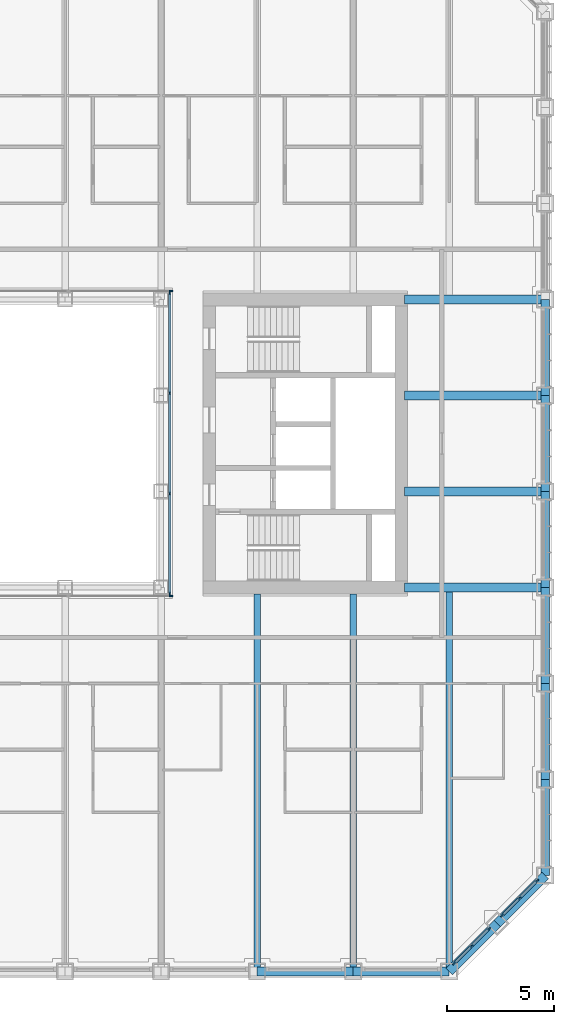
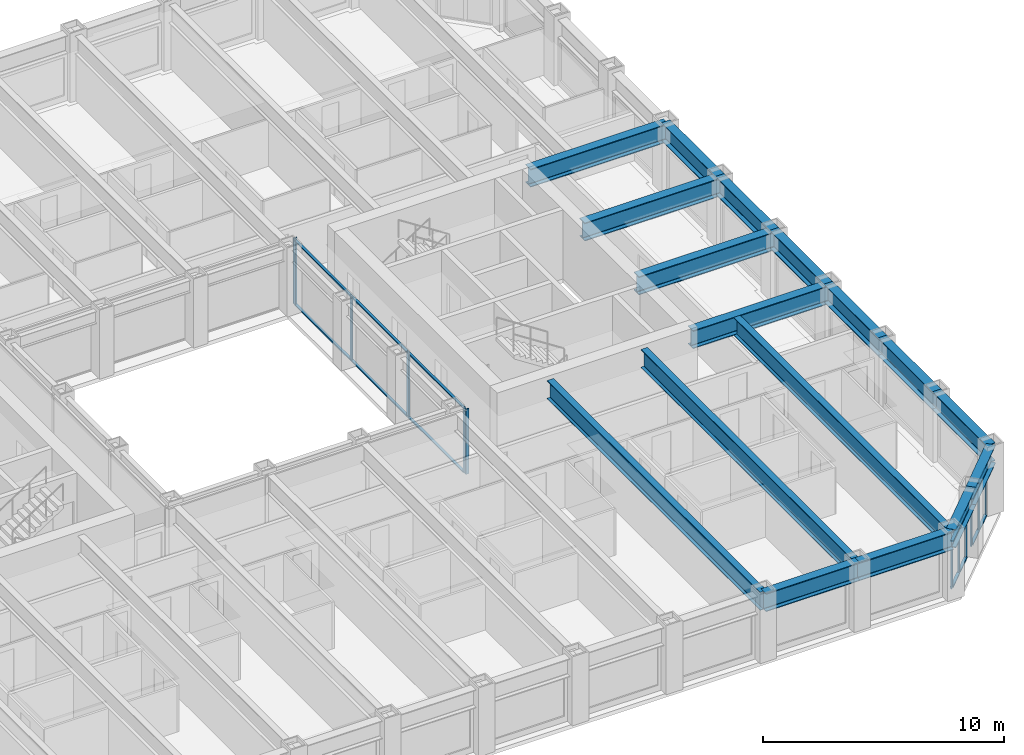
# One storey, part 5 of 21: 26 members, 17 beams, 5 elements without a shape of their own.
"""IFC4 building model written with IfcOpenShell, lengths in metres."""

from ifc_helpers import new_model, si_unit, direction, frame, origin, origin_2d, place, context, subcontext, project, spatial, rectangle, i_section, extrude, material, material_profile, profile_set, type_object, element, aggregate, save


model = new_model("IFC4")

# Units and contexts
model_context = context("Model", 3, precision=1e-05, world=origin(), true_north=direction((0.0, 1.0)))
body_context = subcontext(model_context, "Body", "Model", "MODEL_VIEW")
ifc_project = project(units=[si_unit("LENGTHUNIT", "METRE"), si_unit("AREAUNIT", "SQUARE_METRE"), si_unit("VOLUMEUNIT", "CUBIC_METRE"), si_unit("PLANEANGLEUNIT", "RADIAN"), si_unit("MASSUNIT", "GRAM", prefix="KILO")], contexts=[model_context])

# Site, building, storey
site_placement = place(None, origin())
site = spatial("IfcSite", under=ifc_project, at=site_placement, CompositionType="ELEMENT")
building_placement = place(site_placement, origin())
building = spatial("IfcBuilding", under=site, at=building_placement, Name="Msasa Ring Tower", CompositionType="ELEMENT")
storey_placement = place(building_placement, frame((0.0, 0.0, 54.5)))
storey = spatial("IfcBuildingStorey", under=building, at=storey_placement, Name="L13", CompositionType="ELEMENT", Elevation=54.5)

# Curtain wall, members
ifc_material_1 = material(Name="Aluminium curtain wall with clear glass", Category="aluminium")
curtain_wall_type_1 = type_object("IfcCurtainWallType", Name="CW-C CHAMFER CORNER CURTAIN WALL", PredefinedType="NOTDEFINED", material=ifc_material_1)
curtain_wall_1_placement = place(storey_placement, origin())
curtain_wall_1 = element("IfcCurtainWall", 1, at=curtain_wall_1_placement, inside=storey, type_object=curtain_wall_type_1, Name="Chamfer corner curtain wall SE L13", PredefinedType="NOTDEFINED")
ifc_material_2 = material(Name="Aluminium mullion", Category="aluminium")
ifc_material_profile_1 = material_profile(ifc_material_2, rectangle(XDim=0.06494140625, YDim=0.179931640625, at=origin_2d()), Name="AL 65x180")
ifc_profile_set_1 = profile_set([ifc_material_profile_1], Name="Aluminium mullion")
member_type_1 = type_object("IfcMemberType", Name="CW-C MULLION 65x180", PredefinedType="MULLION", material=ifc_profile_set_1)
member_1_placement = place(storey_placement, frame((20.48876953125, -24.369873046875, 0.0), z_axis=(0.0, 0.0, 1.0), x_axis=(-0.707106781187, 0.707106781187, 0.0)))
member_1 = element("IfcMember", 2, at=member_1_placement, type_object=member_type_1, Name="CW-C mullion 1", PredefinedType="MULLION", context=body_context, shape_type="SweptSolid", body=[
    extrude(rectangle(XDim=0.06494140625, YDim=0.179931640625, at=origin_2d()), origin(), (0.0, 0.0, 1.0), 2.37890625),
])
member_2_placement = place(storey_placement, frame((21.30419921875, -23.55419921875, 0.0), z_axis=(0.0, 0.0, 1.0), x_axis=(-0.707106781187, 0.707106781187, 0.0)))
member_2 = element("IfcMember", 3, at=member_2_placement, type_object=member_type_1, Name="CW-C mullion 2", PredefinedType="MULLION", context=body_context, shape_type="SweptSolid", body=[
    extrude(rectangle(XDim=0.06494140625, YDim=0.179931640625, at=origin_2d()), origin(), (0.0, 0.0, 1.0), 2.37890625),
])
member_3_placement = place(storey_placement, frame((22.119873046875, -22.73876953125, 0.0), z_axis=(0.0, 0.0, 1.0), x_axis=(-0.707106781187, 0.707106781187, 0.0)))
member_3 = element("IfcMember", 4, at=member_3_placement, type_object=member_type_1, Name="CW-C mullion 3", PredefinedType="MULLION", context=body_context, shape_type="SweptSolid", body=[
    extrude(rectangle(XDim=0.06494140625, YDim=0.179931640625, at=origin_2d()), origin(), (0.0, 0.0, 1.0), 2.37890625),
])

curtain_wall_2_placement = place(storey_placement, origin())
curtain_wall_2 = element("IfcCurtainWall", 5, at=curtain_wall_2_placement, inside=storey, type_object=curtain_wall_type_1, Name="Chamfer corner curtain wall SE L13", PredefinedType="NOTDEFINED")
member_4_placement = place(storey_placement, frame((22.73876953125, -22.119873046875, 0.0), z_axis=(0.0, 0.0, 1.0), x_axis=(-0.707106781187, 0.707106781187, 0.0)))
member_4 = element("IfcMember", 6, at=member_4_placement, type_object=member_type_1, Name="CW-C mullion 1", PredefinedType="MULLION", context=body_context, shape_type="SweptSolid", body=[
    extrude(rectangle(XDim=0.06494140625, YDim=0.179931640625, at=origin_2d()), origin(), (0.0, 0.0, 1.0), 2.37890625),
])
member_5_placement = place(storey_placement, frame((23.55419921875, -21.30419921875, 0.0), z_axis=(0.0, 0.0, 1.0), x_axis=(-0.707106781187, 0.707106781187, 0.0)))
member_5 = element("IfcMember", 7, at=member_5_placement, type_object=member_type_1, Name="CW-C mullion 2", PredefinedType="MULLION", context=body_context, shape_type="SweptSolid", body=[
    extrude(rectangle(XDim=0.06494140625, YDim=0.179931640625, at=origin_2d()), origin(), (0.0, 0.0, 1.0), 2.37890625),
])
member_6_placement = place(storey_placement, frame((24.369873046875, -20.48876953125, 0.0), z_axis=(0.0, 0.0, 1.0), x_axis=(-0.707106781187, 0.707106781187, 0.0)))
member_6 = element("IfcMember", 8, at=member_6_placement, type_object=member_type_1, Name="CW-C mullion 3", PredefinedType="MULLION", context=body_context, shape_type="SweptSolid", body=[
    extrude(rectangle(XDim=0.06494140625, YDim=0.179931640625, at=origin_2d()), origin(), (0.0, 0.0, 1.0), 2.37890625),
])

# Member
ifc_material_3 = material(Name="Aluminium transom", Category="aluminium")
ifc_material_profile_2 = material_profile(ifc_material_3, rectangle(XDim=0.139892578125, YDim=0.06494140625, at=origin_2d()), Name="AL 65x140")
ifc_profile_set_2 = profile_set([ifc_material_profile_2], Name="Aluminium transom")
member_type_2 = type_object("IfcMemberType", Name="CW-C TRANSOM 65x140", PredefinedType="USERDEFINED", material=ifc_profile_set_2)
member_7_placement = place(storey_placement, frame((20.51171875, -24.346923828125, 0.032470703125), z_axis=(0.707106781187, 0.707106781187, 0.0), x_axis=(-0.707106781187, 0.707106781187, 0.0)))
member_7 = element("IfcMember", 9, at=member_7_placement, type_object=member_type_2, Name="CW-C transom 1.1", ObjectType="TRANSOM", PredefinedType="USERDEFINED", context=body_context, shape_type="SweptSolid", body=[
    extrude(rectangle(XDim=0.139892578125, YDim=0.06494140625, at=origin_2d()), origin(), (0.0, 0.0, 1.0), 1.08837890625),
])

member_8_placement = place(storey_placement, frame((20.51171875, -24.346923828125, 2.346435546875), z_axis=(0.707106781187, 0.707106781187, 0.0), x_axis=(-0.707106781187, 0.707106781187, 0.0)))
member_8 = element("IfcMember", 10, at=member_8_placement, type_object=member_type_2, Name="CW-C transom 1.2", ObjectType="TRANSOM", PredefinedType="USERDEFINED", context=body_context, shape_type="SweptSolid", body=[
    extrude(rectangle(XDim=0.139892578125, YDim=0.06494140625, at=origin_2d()), origin(), (0.0, 0.0, 1.0), 1.08837890625),
])

member_9_placement = place(storey_placement, frame((21.327392578125, -23.53125, 0.032470703125), z_axis=(0.707106781187, 0.707106781187, 0.0), x_axis=(-0.707106781187, 0.707106781187, 0.0)))
member_9 = element("IfcMember", 11, at=member_9_placement, type_object=member_type_2, Name="CW-C transom 2.1", ObjectType="TRANSOM", PredefinedType="USERDEFINED", context=body_context, shape_type="SweptSolid", body=[
    extrude(rectangle(XDim=0.139892578125, YDim=0.06494140625, at=origin_2d()), origin(), (0.0, 0.0, 1.0), 1.08837890625),
])

member_10_placement = place(storey_placement, frame((21.327392578125, -23.53125, 2.346435546875), z_axis=(0.707106781187, 0.707106781187, 0.0), x_axis=(-0.707106781187, 0.707106781187, 0.0)))
member_10 = element("IfcMember", 12, at=member_10_placement, type_object=member_type_2, Name="CW-C transom 2.2", ObjectType="TRANSOM", PredefinedType="USERDEFINED", context=body_context, shape_type="SweptSolid", body=[
    extrude(rectangle(XDim=0.139892578125, YDim=0.06494140625, at=origin_2d()), origin(), (0.0, 0.0, 1.0), 1.08837890625),
])

aggregate(curtain_wall_1, [member_1, member_2, member_3, member_7, member_8, member_9, member_10])

member_11_placement = place(storey_placement, frame((22.76171875, -22.096923828125, 0.032470703125), z_axis=(0.707106781187, 0.707106781187, 0.0), x_axis=(-0.707106781187, 0.707106781187, 0.0)))
member_11 = element("IfcMember", 13, at=member_11_placement, type_object=member_type_2, Name="CW-C transom 1.1", ObjectType="TRANSOM", PredefinedType="USERDEFINED", context=body_context, shape_type="SweptSolid", body=[
    extrude(rectangle(XDim=0.139892578125, YDim=0.06494140625, at=origin_2d()), origin(), (0.0, 0.0, 1.0), 1.08837890625),
])

member_12_placement = place(storey_placement, frame((22.76171875, -22.096923828125, 2.346435546875), z_axis=(0.707106781187, 0.707106781187, 0.0), x_axis=(-0.707106781187, 0.707106781187, 0.0)))
member_12 = element("IfcMember", 14, at=member_12_placement, type_object=member_type_2, Name="CW-C transom 1.2", ObjectType="TRANSOM", PredefinedType="USERDEFINED", context=body_context, shape_type="SweptSolid", body=[
    extrude(rectangle(XDim=0.139892578125, YDim=0.06494140625, at=origin_2d()), origin(), (0.0, 0.0, 1.0), 1.08837890625),
])

member_13_placement = place(storey_placement, frame((23.577392578125, -21.28125, 0.032470703125), z_axis=(0.707106781187, 0.707106781187, 0.0), x_axis=(-0.707106781187, 0.707106781187, 0.0)))
member_13 = element("IfcMember", 15, at=member_13_placement, type_object=member_type_2, Name="CW-C transom 2.1", ObjectType="TRANSOM", PredefinedType="USERDEFINED", context=body_context, shape_type="SweptSolid", body=[
    extrude(rectangle(XDim=0.139892578125, YDim=0.06494140625, at=origin_2d()), origin(), (0.0, 0.0, 1.0), 1.08837890625),
])

member_14_placement = place(storey_placement, frame((23.577392578125, -21.28125, 2.346435546875), z_axis=(0.707106781187, 0.707106781187, 0.0), x_axis=(-0.707106781187, 0.707106781187, 0.0)))
member_14 = element("IfcMember", 16, at=member_14_placement, type_object=member_type_2, Name="CW-C transom 2.2", ObjectType="TRANSOM", PredefinedType="USERDEFINED", context=body_context, shape_type="SweptSolid", body=[
    extrude(rectangle(XDim=0.139892578125, YDim=0.06494140625, at=origin_2d()), origin(), (0.0, 0.0, 1.0), 1.08837890625),
])

aggregate(curtain_wall_2, [member_4, member_5, member_6, member_11, member_12, member_13, member_14])

# Curtain wall, member
ifc_material_4 = material(Name="Aluminium curtain wall with clear glass", Category="aluminium")
curtain_wall_type_2 = type_object("IfcCurtainWallType", Name="CW-W LIGHT WELL CURTAIN WALL", PredefinedType="NOTDEFINED", material=ifc_material_4)
curtain_wall_3_placement = place(storey_placement, origin())
curtain_wall_3 = element("IfcCurtainWall", 17, at=curtain_wall_3_placement, inside=storey, type_object=curtain_wall_type_2, Name="Light well curtain wall N L13", PredefinedType="NOTDEFINED")
ifc_material_5 = material(Name="Aluminium mullion", Category="aluminium")
ifc_material_profile_3 = material_profile(ifc_material_5, rectangle(XDim=0.06005859375, YDim=0.159912109375, at=origin_2d()), Name="AL 60x160")
ifc_profile_set_3 = profile_set([ifc_material_profile_3], Name="Aluminium mullion")
member_type_3 = type_object("IfcMemberType", Name="CW-W MULLION 60x160", PredefinedType="MULLION", material=ifc_profile_set_3)
member_15_placement = place(storey_placement, frame((7.199951171875, 7.14990234375, 0.0), z_axis=(0.0, 0.0, 1.0), x_axis=(0.0, 1.0, 0.0)))
member_15 = element("IfcMember", 18, at=member_15_placement, type_object=member_type_3, Name="CW-W mullion 4", PredefinedType="MULLION", context=body_context, shape_type="SweptSolid", body=[
    extrude(rectangle(XDim=0.06005859375, YDim=0.159912109375, at=origin_2d()), origin(), (0.0, 0.0, 1.0), 3.300048828125),
])
aggregate(curtain_wall_3, [member_15])

curtain_wall_4_placement = place(storey_placement, origin())
curtain_wall_4 = element("IfcCurtainWall", 19, at=curtain_wall_4_placement, inside=storey, type_object=curtain_wall_type_2, Name="Light well curtain wall S L13", PredefinedType="NOTDEFINED")
member_16_placement = place(storey_placement, frame((7.199951171875, -7.14990234375, 0.0), z_axis=(0.0, 0.0, 1.0), x_axis=(0.0, 1.0, 0.0)))
member_16 = element("IfcMember", 20, at=member_16_placement, type_object=member_type_3, Name="CW-W mullion 4", PredefinedType="MULLION", context=body_context, shape_type="SweptSolid", body=[
    extrude(rectangle(XDim=0.06005859375, YDim=0.159912109375, at=origin_2d()), origin(), (0.0, 0.0, 1.0), 3.300048828125),
])
aggregate(curtain_wall_4, [member_16])

# Curtain wall, members
curtain_wall_5_placement = place(storey_placement, origin())
curtain_wall_5 = element("IfcCurtainWall", 21, at=curtain_wall_5_placement, inside=storey, type_object=curtain_wall_type_2, Name="Light well curtain wall E L13", PredefinedType="NOTDEFINED")
member_17_placement = place(storey_placement, frame((7.14990234375, -7.0400390625, 0.0), z_axis=(0.0, 0.0, 1.0), x_axis=(-1.0, 0.0, 0.0)))
member_17 = element("IfcMember", 22, at=member_17_placement, type_object=member_type_3, Name="CW-W mullion 1", PredefinedType="MULLION", context=body_context, shape_type="SweptSolid", body=[
    extrude(rectangle(XDim=0.06005859375, YDim=0.159912109375, at=origin_2d()), origin(), (0.0, 0.0, 1.0), 3.300048828125),
])
member_18_placement = place(storey_placement, frame((7.14990234375, -2.356689453125, 0.0), z_axis=(0.0, 0.0, 1.0), x_axis=(-1.0, 0.0, 0.0)))
member_18 = element("IfcMember", 23, at=member_18_placement, type_object=member_type_3, Name="CW-W mullion 2", PredefinedType="MULLION", context=body_context, shape_type="SweptSolid", body=[
    extrude(rectangle(XDim=0.06005859375, YDim=0.159912109375, at=origin_2d()), origin(), (0.0, 0.0, 1.0), 3.300048828125),
])
member_19_placement = place(storey_placement, frame((7.14990234375, 2.356689453125, 0.0), z_axis=(0.0, 0.0, 1.0), x_axis=(-1.0, 0.0, 0.0)))
member_19 = element("IfcMember", 24, at=member_19_placement, type_object=member_type_3, Name="CW-W mullion 3", PredefinedType="MULLION", context=body_context, shape_type="SweptSolid", body=[
    extrude(rectangle(XDim=0.06005859375, YDim=0.159912109375, at=origin_2d()), origin(), (0.0, 0.0, 1.0), 3.300048828125),
])
member_20_placement = place(storey_placement, frame((7.14990234375, 7.0400390625, 0.0), z_axis=(0.0, 0.0, 1.0), x_axis=(-1.0, 0.0, 0.0)))
member_20 = element("IfcMember", 25, at=member_20_placement, type_object=member_type_3, Name="CW-W mullion 4", PredefinedType="MULLION", context=body_context, shape_type="SweptSolid", body=[
    extrude(rectangle(XDim=0.06005859375, YDim=0.159912109375, at=origin_2d()), origin(), (0.0, 0.0, 1.0), 3.300048828125),
])
ifc_material_6 = material(Name="Aluminium transom", Category="aluminium")
ifc_material_profile_4 = material_profile(ifc_material_6, rectangle(XDim=0.1201171875, YDim=0.06005859375, at=origin_2d()), Name="AL 60x120")
ifc_profile_set_4 = profile_set([ifc_material_profile_4], Name="Aluminium transom")
member_type_4 = type_object("IfcMemberType", Name="CW-W TRANSOM 60x120", PredefinedType="USERDEFINED", material=ifc_profile_set_4)
member_21_placement = place(storey_placement, frame((7.14990234375, -7.010009765625, 0.030029296875), z_axis=(0.0, 1.0, 0.0), x_axis=(-1.0, 0.0, 0.0)))
member_21 = element("IfcMember", 26, at=member_21_placement, type_object=member_type_4, Name="CW-W transom 1.1", ObjectType="TRANSOM", PredefinedType="USERDEFINED", context=body_context, shape_type="SweptSolid", body=[
    extrude(rectangle(XDim=0.1201171875, YDim=0.06005859375, at=origin_2d()), origin(), (0.0, 0.0, 1.0), 4.623291015625),
])
member_22_placement = place(storey_placement, frame((7.14990234375, -7.010009765625, 3.27001953125), z_axis=(0.0, 1.0, 0.0), x_axis=(-1.0, 0.0, 0.0)))
member_22 = element("IfcMember", 27, at=member_22_placement, type_object=member_type_4, Name="CW-W transom 1.2", ObjectType="TRANSOM", PredefinedType="USERDEFINED", context=body_context, shape_type="SweptSolid", body=[
    extrude(rectangle(XDim=0.1201171875, YDim=0.06005859375, at=origin_2d()), origin(), (0.0, 0.0, 1.0), 4.623291015625),
])
member_23_placement = place(storey_placement, frame((7.14990234375, -2.32666015625, 0.030029296875), z_axis=(0.0, 1.0, 0.0), x_axis=(-1.0, 0.0, 0.0)))
member_23 = element("IfcMember", 28, at=member_23_placement, type_object=member_type_4, Name="CW-W transom 2.1", ObjectType="TRANSOM", PredefinedType="USERDEFINED", context=body_context, shape_type="SweptSolid", body=[
    extrude(rectangle(XDim=0.1201171875, YDim=0.06005859375, at=origin_2d()), origin(), (0.0, 0.0, 1.0), 4.6533203125),
])
member_24_placement = place(storey_placement, frame((7.14990234375, -2.32666015625, 3.27001953125), z_axis=(0.0, 1.0, 0.0), x_axis=(-1.0, 0.0, 0.0)))
member_24 = element("IfcMember", 29, at=member_24_placement, type_object=member_type_4, Name="CW-W transom 2.2", ObjectType="TRANSOM", PredefinedType="USERDEFINED", context=body_context, shape_type="SweptSolid", body=[
    extrude(rectangle(XDim=0.1201171875, YDim=0.06005859375, at=origin_2d()), origin(), (0.0, 0.0, 1.0), 4.6533203125),
])
member_25_placement = place(storey_placement, frame((7.14990234375, 2.38671875, 0.030029296875), z_axis=(0.0, 1.0, 0.0), x_axis=(-1.0, 0.0, 0.0)))
member_25 = element("IfcMember", 30, at=member_25_placement, type_object=member_type_4, Name="CW-W transom 3.1", ObjectType="TRANSOM", PredefinedType="USERDEFINED", context=body_context, shape_type="SweptSolid", body=[
    extrude(rectangle(XDim=0.1201171875, YDim=0.06005859375, at=origin_2d()), origin(), (0.0, 0.0, 1.0), 4.623291015625),
])
member_26_placement = place(storey_placement, frame((7.14990234375, 2.38671875, 3.27001953125), z_axis=(0.0, 1.0, 0.0), x_axis=(-1.0, 0.0, 0.0)))
member_26 = element("IfcMember", 31, at=member_26_placement, type_object=member_type_4, Name="CW-W transom 3.2", ObjectType="TRANSOM", PredefinedType="USERDEFINED", context=body_context, shape_type="SweptSolid", body=[
    extrude(rectangle(XDim=0.1201171875, YDim=0.06005859375, at=origin_2d()), origin(), (0.0, 0.0, 1.0), 4.623291015625),
])
aggregate(curtain_wall_5, [member_17, member_18, member_19, member_20, member_21, member_22, member_23, member_24, member_25, member_26])

# Beams
ifc_material_7 = material(Name="Steel S355", Category="steel")
ifc_material_profile_5 = material_profile(ifc_material_7, i_section(OverallWidth=0.42041015625, OverallDepth=0.9208984375, WebThickness=0.021484375, FlangeThickness=0.03662109375, FilletRadius=0.024169921875, at=origin_2d()), Name="UB 914x419x388")
ifc_profile_set_5 = profile_set([ifc_material_profile_5], Name="Steel S355")
beam_type_1 = type_object("IfcBeamType", Name="FB2 UB 914x419x388", PredefinedType="BEAM", material=ifc_profile_set_5)
for number, where, z_axis, x_axis, name in (
    (32, (24.75, -2.25, 2.839599609375), (-1.0, 0.0, 0.0), (0.0, -1.0, 0.0), "Floor beam E -2.25 under L14"),
    (33, (24.75, 2.25, 2.839599609375), (-1.0, 0.0, 0.0), (0.0, -1.0, 0.0), "Floor beam E +2.25 under L14"),
):
    element("IfcBeam", number, at=place(storey_placement, frame(where, z_axis=z_axis, x_axis=x_axis)), inside=storey, type_object=beam_type_1, Name=name, PredefinedType="BEAM", context=body_context, shape_type="SweptSolid", body=[
        extrude(i_section(OverallWidth=0.42041015625, OverallDepth=0.9208984375, WebThickness=0.021484375, FlangeThickness=0.03662109375, FilletRadius=0.024169921875, at=origin_2d()), origin(), (0.0, 0.0, 1.0), 6.60009765625),
    ])
ifc_material_8 = material(Name="Steel S355", Category="steel")
ifc_material_profile_6 = material_profile(ifc_material_8, i_section(OverallWidth=0.3076171875, OverallDepth=0.926513671875, WebThickness=0.01953125, FlangeThickness=0.031982421875, FilletRadius=0.01904296875, at=origin_2d()), Name="UB 914x305x289")
ifc_profile_set_6 = profile_set([ifc_material_profile_6], Name="Steel S355")
beam_type_2 = type_object("IfcBeamType", Name="FB3 UB 914x305x289", PredefinedType="BEAM", material=ifc_profile_set_6)
for number, where, z_axis, x_axis, name in (
    (34, (11.25, -24.75, 2.836669921875), (0.0, 1.0, 0.0), (-1.0, 0.0, 0.0), "Floor beam S+11.25 under L14"),
    (35, (15.75, -24.75, 2.836669921875), (0.0, 1.0, 0.0), (-1.0, 0.0, 0.0), "Floor beam S+15.75 under L14"),
):
    element("IfcBeam", number, at=place(storey_placement, frame(where, z_axis=z_axis, x_axis=x_axis)), inside=storey, type_object=beam_type_2, Name=name, PredefinedType="BEAM", context=body_context, shape_type="SweptSolid", body=[
        extrude(i_section(OverallWidth=0.3076171875, OverallDepth=0.926513671875, WebThickness=0.01953125, FlangeThickness=0.031982421875, FilletRadius=0.01904296875, at=origin_2d()), origin(), (0.0, 0.0, 1.0), 17.699951171875),
    ])
beam_placement = place(storey_placement, frame((20.25, -24.75, 2.836669921875), z_axis=(0.0, 1.0, 0.0), x_axis=(-1.0, 0.0, 0.0)))
element("IfcBeam", 36, at=beam_placement, inside=storey, type_object=beam_type_2, Name="Floor beam S+20.25 under L14", PredefinedType="BEAM", context=body_context, shape_type="SweptSolid", body=[
    extrude(i_section(OverallWidth=0.3076171875, OverallDepth=0.926513671875, WebThickness=0.01953125, FlangeThickness=0.031982421875, FilletRadius=0.01904296875, at=origin_2d()), origin(), (0.0, 0.0, 1.0), 17.789794921875),
])
ifc_material_9 = material(Name="Steel S355", Category="steel")
ifc_material_profile_7 = material_profile(ifc_material_9, i_section(OverallWidth=0.42041015625, OverallDepth=0.9208984375, WebThickness=0.021484375, FlangeThickness=0.03662109375, FilletRadius=0.024169921875, at=origin_2d()), Name="UB 914x419x388")
ifc_profile_set_7 = profile_set([ifc_material_profile_7], Name="Steel S355")
beam_type_3 = type_object("IfcBeamType", Name="GB1 UB 914x419x388", PredefinedType="BEAM", material=ifc_profile_set_7)
for number, where, z_axis, x_axis, name in (
    (37, (18.14990234375, 6.75, 2.839599609375), (1.0, 0.0, 0.0), (0.0, 1.0, 0.0), "Girder E +6.75 under L14"),
    (38, (18.14990234375, -6.75, 2.839599609375), (1.0, 0.0, 0.0), (0.0, 1.0, 0.0), "Girder E -6.75 under L14"),
):
    element("IfcBeam", number, at=place(storey_placement, frame(where, z_axis=z_axis, x_axis=x_axis)), inside=storey, type_object=beam_type_3, Name=name, PredefinedType="BEAM", context=body_context, shape_type="SweptSolid", body=[
        extrude(i_section(OverallWidth=0.42041015625, OverallDepth=0.9208984375, WebThickness=0.021484375, FlangeThickness=0.03662109375, FilletRadius=0.024169921875, at=origin_2d()), origin(), (0.0, 0.0, 1.0), 6.60009765625),
    ])
ifc_material_10 = material(Name="Steel S355", Category="steel")
ifc_material_profile_8 = material_profile(ifc_material_10, i_section(OverallWidth=0.42041015625, OverallDepth=0.9208984375, WebThickness=0.021484375, FlangeThickness=0.03662109375, FilletRadius=0.024169921875, at=origin_2d()), Name="UB 914x419x388")
ifc_profile_set_8 = profile_set([ifc_material_profile_8], Name="Steel S355")
beam_type_4 = type_object("IfcBeamType", Name="SB1 UB 914x419x388", PredefinedType="SPANDREL", material=ifc_profile_set_8)
for number, where, z_axis, x_axis, name in (
    (39, (11.25, -24.75, 2.839599609375), (1.0, 0.0, 0.0), (0.0, 1.0, 0.0), "Spandrel S+11.25 to S+15.75 under L14"),
    (40, (15.75, -24.75, 2.839599609375), (1.0, 0.0, 0.0), (0.0, 1.0, 0.0), "Spandrel S+15.75 to S+20.25 under L14"),
):
    element("IfcBeam", number, at=place(storey_placement, frame(where, z_axis=z_axis, x_axis=x_axis)), inside=storey, type_object=beam_type_4, Name=name, PredefinedType="SPANDREL", context=body_context, shape_type="SweptSolid", body=[
        extrude(i_section(OverallWidth=0.42041015625, OverallDepth=0.9208984375, WebThickness=0.021484375, FlangeThickness=0.03662109375, FilletRadius=0.024169921875, at=origin_2d()), origin(), (0.0, 0.0, 1.0), 4.5),
    ])
for number, where, z_axis, x_axis, name in (
    (41, (20.25, -24.75, 2.839599609375), (0.707106781187, 0.707106781187, 0.0), (-0.707106781187, 0.707106781187, 0.0), "Spandrel S+20.25 to SE under L14"),
    (42, (22.5, -22.5, 2.839599609375), (0.707106781187, 0.707106781187, 0.0), (-0.707106781187, 0.707106781187, 0.0), "Spandrel SE to E-20.25 under L14"),
):
    element("IfcBeam", number, at=place(storey_placement, frame(where, z_axis=z_axis, x_axis=x_axis)), inside=storey, type_object=beam_type_4, Name=name, PredefinedType="SPANDREL", context=body_context, shape_type="SweptSolid", body=[
        extrude(i_section(OverallWidth=0.42041015625, OverallDepth=0.9208984375, WebThickness=0.021484375, FlangeThickness=0.03662109375, FilletRadius=0.024169921875, at=origin_2d()), origin(), (0.0, 0.0, 1.0), 3.181884765625),
    ])
for number, where, z_axis, x_axis, name in (
    (43, (24.75, -20.25, 2.839599609375), (0.0, 1.0, 0.0), (-1.0, 0.0, 0.0), "Spandrel E-20.25 to E-15.75 under L14"),
    (44, (24.75, -15.75, 2.839599609375), (0.0, 1.0, 0.0), (-1.0, 0.0, 0.0), "Spandrel E-15.75 to E-11.25 under L14"),
    (45, (24.75, -11.25, 2.839599609375), (0.0, 1.0, 0.0), (-1.0, 0.0, 0.0), "Spandrel E-11.25 to E-6.75 under L14"),
    (46, (24.75, -6.75, 2.839599609375), (0.0, 1.0, 0.0), (-1.0, 0.0, 0.0), "Spandrel E-6.75 to E-2.25 under L14"),
    (47, (24.75, -2.25, 2.839599609375), (0.0, 1.0, 0.0), (-1.0, 0.0, 0.0), "Spandrel E-2.25 to E+2.25 under L14"),
    (48, (24.75, 2.25, 2.839599609375), (0.0, 1.0, 0.0), (-1.0, 0.0, 0.0), "Spandrel E+2.25 to E+6.75 under L14"),
):
    element("IfcBeam", number, at=place(storey_placement, frame(where, z_axis=z_axis, x_axis=x_axis)), inside=storey, type_object=beam_type_4, Name=name, PredefinedType="SPANDREL", context=body_context, shape_type="SweptSolid", body=[
        extrude(i_section(OverallWidth=0.42041015625, OverallDepth=0.9208984375, WebThickness=0.021484375, FlangeThickness=0.03662109375, FilletRadius=0.024169921875, at=origin_2d()), origin(), (0.0, 0.0, 1.0), 4.5),
    ])

save(model, "model.ifc")
